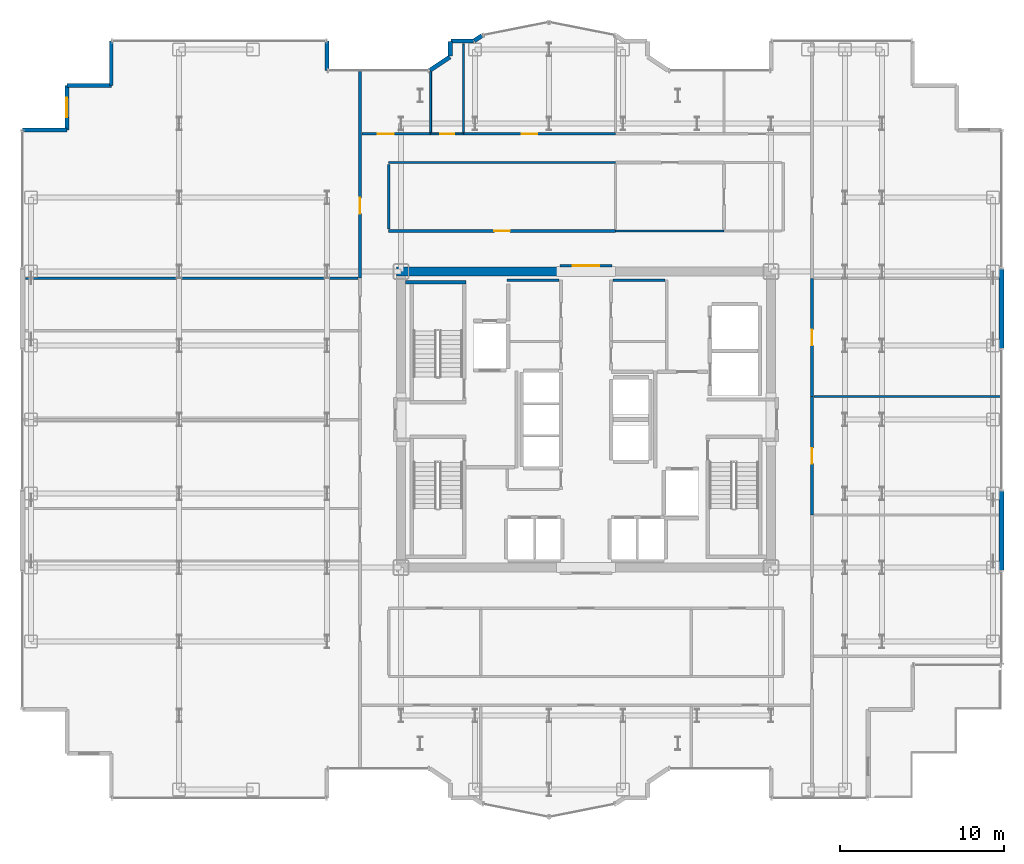
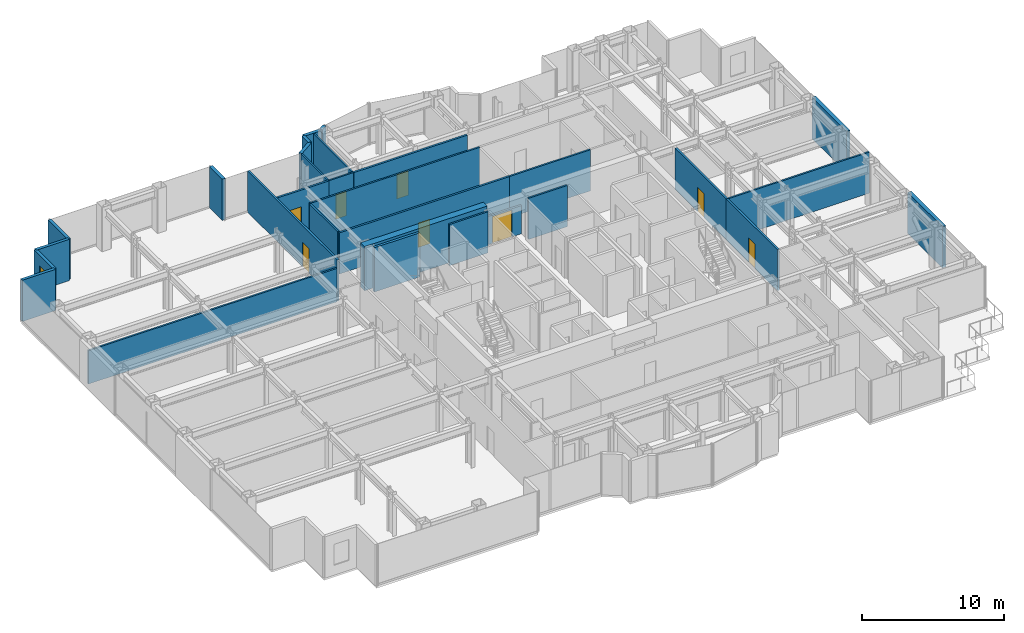
# One storey, part 24 of 27: 30 walls, 8 doors, 1 window, 9 openings.
"""IFC4 building model written with IfcOpenShell, lengths in metres."""

from ifc_helpers import new_model, si_unit, direction, frame, frame_2d, origin, place, context, subcontext, project, spatial, rectangle, extrude, source, transform, mapped, material, layer, layer_set, type_object, element, fill, save


model = new_model("IFC4")

# Units and contexts
model_context = context("Model", 3, precision=1e-05, world=origin(), true_north=direction((0.0, 1.0)))
body_context = subcontext(model_context, "Body", "Model", "MODEL_VIEW")
ifc_project = project(units=[si_unit("LENGTHUNIT", "METRE"), si_unit("AREAUNIT", "SQUARE_METRE"), si_unit("VOLUMEUNIT", "CUBIC_METRE"), si_unit("PLANEANGLEUNIT", "RADIAN"), si_unit("MASSUNIT", "GRAM", prefix="KILO")], contexts=[model_context])

# Site, building, storey
site_placement = place(None, origin())
site = spatial("IfcSite", under=ifc_project, at=site_placement, CompositionType="ELEMENT")
building_placement = place(site_placement, origin())
building = spatial("IfcBuilding", under=site, at=building_placement, Name="Nefas-Gora Pilgrimage Tower", CompositionType="ELEMENT")
storey_placement = place(building_placement, frame((0.0, 0.0, 183.0)))
storey = spatial("IfcBuildingStorey", under=building, at=storey_placement, Name="L45", CompositionType="ELEMENT", Elevation=183.0)

# Walls
ifc_material_1 = material(Name="Concrete C60/75", Category="concrete")
ifc_layer_1 = layer(ifc_material_1, 0.550048828125)
ifc_layer_set_1 = layer_set([ifc_layer_1], Name="Concrete C60/75")
wall_type_1 = type_object("IfcWallType", Name="SW-CORE-550", PredefinedType="SHEAR", material=ifc_layer_set_1)
shared_shape_1 = source(origin(), body_context, "Body", "SweptSolid", [
    extrude(rectangle(XDim=9.974853515625, YDim=0.550048828125, at=frame_2d((4.9873046875, 0.0))), origin(), (0.0, 0.0, 1.0), 3.800048828125),
])
wall_1_placement = place(storey_placement, frame((-11.52490234375, 9.0, 0.0), z_axis=(0.0, 0.0, 1.0), x_axis=(1.0, 0.0, 0.0)))
element("IfcWall", 1, at=wall_1_placement, inside=storey, type_object=wall_type_1, Name="L45 Core Shear Wall N-West", PredefinedType="SHEAR", context=body_context, shape_type="MappedRepresentation", body=[
    mapped(shared_shape_1, transform((0.0, 0.0, 0.0), x_axis=(1.0, 0.0, 0.0), y_axis=(0.0, 1.0, 0.0), z_axis=(0.0, 0.0, 1.0), scale=1.0)),
])
ifc_material_2 = material(Name="Precast concrete C45/55", Category="concrete")
ifc_layer_2 = layer(ifc_material_2, 0.239990234375)
ifc_layer_set_2 = layer_set([ifc_layer_2], Name="Precast concrete C45/55")
wall_type_2 = type_object("IfcWallType", Name="EW-SERR-240", PredefinedType="SHEAR", material=ifc_layer_set_2)
shared_shape_2 = source(origin(), body_context, "Body", "SweptSolid", [
    extrude(rectangle(XDim=4.8798828125, YDim=0.300048828125, at=frame_2d((2.43994140625, 0.0))), origin(), (0.0, 0.0, 1.0), 3.550048828125),
])
for number, where, z_axis, x_axis, name in (
    (2, (25.27001953125, -9.18994140625, 0.0), (0.0, 0.0, 1.0), (0.0, 1.0, 0.0), "L45 Braced-Tube Precast Shear Cladding 3"),
    (3, (25.27001953125, 4.31005859375, 0.0), (0.0, 0.0, 1.0), (0.0, 1.0, 0.0), "L45 Braced-Tube Precast Shear Cladding 4"),
):
    element("IfcWall", number, at=place(storey_placement, frame(where, z_axis=z_axis, x_axis=x_axis)), inside=storey, type_object=wall_type_2, Name=name, PredefinedType="SHEAR", context=body_context, shape_type="MappedRepresentation", body=[
        mapped(shared_shape_2, transform((0.0, 0.0, 0.0), x_axis=(1.0, 0.0, 0.0), y_axis=(0.0, 1.0, 0.0), z_axis=(0.0, 0.0, 1.0), scale=1.0)),
    ])
ifc_material_3 = material(Name="Precast concrete C40/50", Category="concrete")
ifc_layer_3 = layer(ifc_material_3, 0.260009765625)
ifc_layer_set_3 = layer_set([ifc_layer_3], Name="Precast concrete C40/50")
wall_type_3 = type_object("IfcWallType", Name="EW-PORTAL-260", PredefinedType="SOLIDWALL", material=ifc_layer_set_3)
shared_shape_3 = source(origin(), body_context, "Body", "SweptSolid", [
    extrude(rectangle(XDim=1.800048828125, YDim=0.260009765625, at=frame_2d((0.89990234375, 0.0))), origin(), (0.0, 0.0, 1.0), 3.550048828125),
])
wall_2_placement = place(storey_placement, frame((-15.75, 21.219970703125, 0.0), z_axis=(0.0, 0.0, 1.0), x_axis=(0.0, 1.0, 0.0)))
element("IfcWall", 4, at=wall_2_placement, inside=storey, type_object=wall_type_3, Name="L45 Lobe Shoulder Precast Spandrel Pier 22", PredefinedType="SOLIDWALL", context=body_context, shape_type="MappedRepresentation", body=[
    mapped(shared_shape_3, transform((0.0, 0.0, 0.0), x_axis=(1.0, 0.0, 0.0), y_axis=(0.0, 1.0, 0.0), z_axis=(0.0, 0.0, 1.0), scale=1.0)),
])
shared_shape_4 = source(origin(), body_context, "Body", "SweptSolid", [
    extrude(rectangle(XDim=2.699951171875, YDim=0.239990234375, at=frame_2d((1.35009765625, 0.0))), origin(), (0.0, 0.0, 1.0), 3.550048828125),
])
for number, where, z_axis, x_axis, name in (
    (5, (-28.8701171875, 23.02001953125, 0.0), (0.0, 0.0, 1.0), (0.0, -1.0, 0.0), "L45 Serrated Corner Shear Pier Wall 23"),
    (6, (-28.8701171875, 20.320068359375, 0.0), (0.0, 0.0, 1.0), (-1.0, 0.0, 0.0), "L45 Serrated Corner Shear Pier Wall 24"),
):
    element("IfcWall", number, at=place(storey_placement, frame(where, z_axis=z_axis, x_axis=x_axis)), inside=storey, type_object=wall_type_2, Name=name, PredefinedType="SHEAR", context=body_context, shape_type="MappedRepresentation", body=[
        mapped(shared_shape_4, transform((0.0, 0.0, 0.0), x_axis=(1.0, 0.0, 0.0), y_axis=(0.0, 1.0, 0.0), z_axis=(0.0, 0.0, 1.0), scale=1.0)),
    ])

# Wall, opening, window
wall_3_placement = place(storey_placement, frame((-31.570068359375, 20.320068359375, 0.0), z_axis=(0.0, 0.0, 1.0), x_axis=(0.0, -1.0, 0.0)))
wall_3 = element("IfcWall", 7, at=wall_3_placement, inside=storey, type_object=wall_type_2, Name="L45 Serrated Corner Shear Pier Wall 25", PredefinedType="SHEAR", context=body_context, shape_type="MappedRepresentation", body=[
    mapped(shared_shape_4, transform((0.0, 0.0, 0.0), x_axis=(1.0, 0.0, 0.0), y_axis=(0.0, 1.0, 0.0), z_axis=(0.0, 0.0, 1.0), scale=1.0)),
])
opening_1_placement = place(wall_3_placement, frame((0.75, 0.0, 0.85009765625)))
opening_1 = element("IfcOpeningElement", 8, at=opening_1_placement, cuts=wall_3, Name="Opening W-V1", PredefinedType="OPENING", context=body_context, shape_type="SweptSolid", body=[
    extrude(rectangle(XDim=1.199951171875, YDim=1.800048828125, at=frame_2d((0.60009765625, 0.89990234375))), frame((0.0, 0.1298828125, 0.0), z_axis=(0.0, -1.0, 0.0), x_axis=(1.0, 0.0, 0.0)), (0.0, 0.0, 1.0), 0.260009765625),
])
ifc_material_4 = material(Name="Dark ceramic-fritted operable aluminium-glass window", Category="aluminium")
window_type = type_object("IfcWindowType", Name="WIN-VENT-1200x1800", PartitioningType="SINGLE_PANEL", PredefinedType="WINDOW", material=ifc_material_4)
shared_shape_5 = source(origin(), body_context, "Body", "SweptSolid", [
    extrude(rectangle(XDim=1.199951171875, YDim=1.800048828125, at=frame_2d((0.60009765625, 0.89990234375))), frame((0.0, 0.030029296875, 0.0), z_axis=(0.0, -1.0, 0.0), x_axis=(1.0, 0.0, 0.0)), (0.0, 0.0, 1.0), 0.06005859375),
])
window_placement = place(opening_1_placement, origin())
window = element("IfcWindow", 9, at=window_placement, inside=storey, type_object=window_type, Name="L45 Operable Parallel-Outswing Window 25", OverallHeight=1.800048828125, OverallWidth=1.199951171875, PartitioningType="SINGLE_PANEL", PredefinedType="WINDOW", context=body_context, shape_type="MappedRepresentation", body=[
    mapped(shared_shape_5, transform((0.0, 0.0, 0.0), x_axis=(1.0, 0.0, 0.0), y_axis=(0.0, 1.0, 0.0), z_axis=(0.0, 0.0, 1.0), scale=1.0)),
])
fill(opening_1, window)

# Walls
wall_4_placement = place(storey_placement, frame((-31.570068359375, 17.6201171875, 0.0), z_axis=(0.0, 0.0, 1.0), x_axis=(-1.0, 0.0, 0.0)))
element("IfcWall", 10, at=wall_4_placement, inside=storey, type_object=wall_type_2, Name="L45 Serrated Corner Shear Pier Wall 26", PredefinedType="SHEAR", context=body_context, shape_type="MappedRepresentation", body=[
    mapped(shared_shape_4, transform((0.0, 0.0, 0.0), x_axis=(1.0, 0.0, 0.0), y_axis=(0.0, 1.0, 0.0), z_axis=(0.0, 0.0, 1.0), scale=1.0)),
])
shared_shape_6 = source(origin(), body_context, "Body", "SweptSolid", [
    extrude(rectangle(XDim=1.468994140625, YDim=0.260009765625, at=frame_2d((0.734375, 0.0))), origin(), (0.0, 0.0, 1.0), 3.550048828125),
])
wall_5_placement = place(storey_placement, frame((-8.273193359375, 22.0517578125, 0.0), z_axis=(0.0, 0.0, 1.0), x_axis=(-0.831461760506, -0.555581983884, 0.0)))
element("IfcWall", 11, at=wall_5_placement, inside=storey, type_object=wall_type_3, Name="L45 Lobe Shoulder Precast Spandrel Pier 21", PredefinedType="SOLIDWALL", context=body_context, shape_type="MappedRepresentation", body=[
    mapped(shared_shape_6, transform((0.0, 0.0, 0.0), x_axis=(1.0, 0.0, 0.0), y_axis=(0.0, 1.0, 0.0), z_axis=(0.0, 0.0, 1.0), scale=1.0)),
])
shared_shape_7 = source(origin(), body_context, "Body", "SweptSolid", [
    extrude(rectangle(XDim=0.896728515625, YDim=0.260009765625, at=frame_2d((0.4482421875, 0.0))), origin(), (0.0, 0.0, 1.0), 3.550048828125),
])
wall_6_placement = place(storey_placement, frame((-8.25, 22.991943359375, 0.0), z_axis=(0.0, 0.0, 1.0), x_axis=(0.0, -1.0, 0.0)))
element("IfcWall", 12, at=wall_6_placement, inside=storey, type_object=wall_type_3, Name="L45 Lobe Shoulder Precast Spandrel Pier 20", PredefinedType="SOLIDWALL", context=body_context, shape_type="MappedRepresentation", body=[
    mapped(shared_shape_7, transform((0.0, 0.0, 0.0), x_axis=(1.0, 0.0, 0.0), y_axis=(0.0, 1.0, 0.0), z_axis=(0.0, 0.0, 1.0), scale=1.0)),
])
shared_shape_8 = source(origin(), body_context, "Body", "SweptSolid", [
    extrude(rectangle(XDim=1.369873046875, YDim=0.260009765625, at=frame_2d((0.68505859375, 0.0))), origin(), (0.0, 0.0, 1.0), 3.550048828125),
])
wall_7_placement = place(storey_placement, frame((-6.85205078125, 23.02001953125, 0.0), z_axis=(0.0, 0.0, 1.0), x_axis=(-1.0, 0.0, 0.0)))
element("IfcWall", 13, at=wall_7_placement, inside=storey, type_object=wall_type_3, Name="L45 Lobe Shoulder Precast Spandrel Pier 19", PredefinedType="SOLIDWALL", context=body_context, shape_type="MappedRepresentation", body=[
    mapped(shared_shape_8, transform((0.0, 0.0, 0.0), x_axis=(1.0, 0.0, 0.0), y_axis=(0.0, 1.0, 0.0), z_axis=(0.0, 0.0, 1.0), scale=1.0)),
])
shared_shape_9 = source(origin(), body_context, "Body", "SweptSolid", [
    extrude(rectangle(XDim=0.5654296875, YDim=0.260009765625, at=frame_2d((0.28271484375, 0.0))), origin(), (0.0, 0.0, 1.0), 3.550048828125),
])
wall_8_placement = place(storey_placement, frame((-6.33056640625, 23.349609375, 0.0), z_axis=(0.0, 0.0, 1.0), x_axis=(-0.831651492666, -0.555297933317, 0.0)))
element("IfcWall", 14, at=wall_8_placement, inside=storey, type_object=wall_type_3, Name="L45 Lobe Shoulder Precast Spandrel Pier 18", PredefinedType="SOLIDWALL", context=body_context, shape_type="MappedRepresentation", body=[
    mapped(shared_shape_9, transform((0.0, 0.0, 0.0), x_axis=(1.0, 0.0, 0.0), y_axis=(0.0, 1.0, 0.0), z_axis=(0.0, 0.0, 1.0), scale=1.0)),
])
ifc_material_5 = material(Name="Concrete C45/55", Category="concrete")
ifc_layer_4 = layer(ifc_material_5, 0.199951171875)
ifc_layer_set_4 = layer_set([ifc_layer_4], Name="Concrete C45/55")
wall_type_4 = type_object("IfcWallType", Name="IW-STAIR-200", PredefinedType="SOLIDWALL", material=ifc_layer_set_4)
shared_shape_10 = source(origin(), body_context, "Body", "SweptSolid", [
    extrude(rectangle(XDim=3.679931640625, YDim=0.199951171875, at=frame_2d((1.83984375, 0.0))), origin(), (0.0, 0.0, 1.0), 3.800048828125),
])
wall_9_placement = place(storey_placement, frame((-7.300048828125, 8.35009765625, 0.0), z_axis=(0.0, 0.0, 1.0), x_axis=(-1.0, 0.0, 0.0)))
element("IfcWall", 15, at=wall_9_placement, inside=storey, type_object=wall_type_4, Name="L45 Stairwell Shear Wall ST-01-far", PredefinedType="SOLIDWALL", context=body_context, shape_type="MappedRepresentation", body=[
    mapped(shared_shape_10, transform((0.0, 0.0, 0.0), x_axis=(1.0, 0.0, 0.0), y_axis=(0.0, 1.0, 0.0), z_axis=(0.0, 0.0, 1.0), scale=1.0)),
])

# Wall, opening, door
ifc_material_6 = material(Name="Moisture-resistant fire-rated gypsum partition")
ifc_layer_5 = layer(ifc_material_6, 0.1201171875)
ifc_layer_set_5 = layer_set([ifc_layer_5], Name="Moisture-resistant fire-rated gypsum partition")
wall_type_5 = type_object("IfcWallType", Name="IW-WET-120", PredefinedType="PLUMBINGWALL", material=ifc_layer_set_5)
shared_shape_11 = source(origin(), body_context, "Body", "SweptSolid", [
    extrude(rectangle(XDim=2.02001953125, YDim=0.1201171875, at=frame_2d((1.010009765625, 0.0))), origin(), (0.0, 0.0, 1.0), 3.534912109375),
])
wall_10_placement = place(storey_placement, frame((-9.4599609375, 17.3701171875, 0.0), z_axis=(0.0, 0.0, 1.0), x_axis=(1.0, 0.0, 0.0)))
wall_10 = element("IfcWall", 16, at=wall_10_placement, inside=storey, type_object=wall_type_5, Name="L45 Accessible Unisex WC Partition Wall 29", PredefinedType="PLUMBINGWALL", context=body_context, shape_type="MappedRepresentation", body=[
    mapped(shared_shape_11, transform((0.0, 0.0, 0.0), x_axis=(1.0, 0.0, 0.0), y_axis=(0.0, 1.0, 0.0), z_axis=(0.0, 0.0, 1.0), scale=1.0)),
])
opening_2_placement = place(wall_10_placement, frame((0.5849609375, 0.0, 0.0)))
opening_2 = element("IfcOpeningElement", 17, at=opening_2_placement, cuts=wall_10, Name="Opening ID-BT1", PredefinedType="OPENING", context=body_context, shape_type="SweptSolid", body=[
    extrude(rectangle(XDim=0.85009765625, YDim=2.10009765625, at=frame_2d((0.425048828125, 1.050048828125))), frame((0.0, 0.070068359375, 0.0), z_axis=(0.0, -1.0, 0.0), x_axis=(1.0, 0.0, 0.0)), (0.0, 0.0, 1.0), 0.14013671875),
])
ifc_material_7 = material(Name="Moisture-resistant fire-rated timber door", Category="wood")
door_type_1 = type_object("IfcDoorType", Name="DR-INT-BATH-850", OperationType="NOTDEFINED", PredefinedType="DOOR", material=ifc_material_7)
shared_shape_12 = source(origin(), body_context, "Body", "SweptSolid", [
    extrude(rectangle(XDim=0.85009765625, YDim=2.10009765625, at=frame_2d((0.425048828125, 1.050048828125))), frame((0.0, 0.02490234375, 0.0), z_axis=(0.0, -1.0, 0.0), x_axis=(1.0, 0.0, 0.0)), (0.0, 0.0, 1.0), 0.050048828125),
])
door_1_placement = place(opening_2_placement, origin())
door_1 = element("IfcDoor", 18, at=door_1_placement, inside=storey, type_object=door_type_1, Name="L45 Accessible Unisex WC Door 12", OperationType="SINGLE_SWING_LEFT", OverallHeight=2.10009765625, OverallWidth=0.85009765625, PredefinedType="DOOR", context=body_context, shape_type="MappedRepresentation", body=[
    mapped(shared_shape_12, transform((0.0, 0.0, 0.0), x_axis=(1.0, 0.0, 0.0), y_axis=(0.0, 1.0, 0.0), z_axis=(0.0, 0.0, 1.0), scale=1.0)),
])
fill(opening_2, door_1)

# Walls
ifc_material_8 = material(Name="Gypsum twin-stud partition")
ifc_layer_6 = layer(ifc_material_8, 0.139892578125)
ifc_layer_set_6 = layer_set([ifc_layer_6], Name="Gypsum twin-stud partition")
wall_type_6 = type_object("IfcWallType", Name="IW-UNIT-140", PredefinedType="PARTITIONING", material=ifc_layer_set_6)
shared_shape_13 = source(origin(), body_context, "Body", "SweptSolid", [
    extrude(rectangle(XDim=3.150146484375, YDim=0.139892578125, at=frame_2d((1.5751953125, 0.0))), origin(), (0.0, 0.0, 1.0), 3.534912109375),
])
for number, where, z_axis, x_axis, name in (
    (19, (-4.7900390625, 8.47998046875, 0.0), (0.0, 0.0, 1.0), (1.0, 0.0, 0.0), "L45 Archival Supply Store Partition Wall 21"),
    (20, (1.639892578125, 8.47998046875, 0.0), (0.0, 0.0, 1.0), (1.0, 0.0, 0.0), "L45 Amenity Supply Store Partition Wall 25"),
):
    element("IfcWall", number, at=place(storey_placement, frame(where, z_axis=z_axis, x_axis=x_axis)), inside=storey, type_object=wall_type_6, Name=name, PredefinedType="PARTITIONING", context=body_context, shape_type="MappedRepresentation", body=[
        mapped(shared_shape_13, transform((0.0, 0.0, 0.0), x_axis=(1.0, 0.0, 0.0), y_axis=(0.0, 1.0, 0.0), z_axis=(0.0, 0.0, 1.0), scale=1.0)),
    ])

# Wall, opening, door
ifc_material_9 = material(Name="Gypsum acoustic stud partition")
ifc_layer_7 = layer(ifc_material_9, 0.159912109375)
ifc_layer_set_7 = layer_set([ifc_layer_7], Name="Gypsum acoustic stud partition")
wall_type_7 = type_object("IfcWallType", Name="IW-CORR-160", PredefinedType="PARTITIONING", material=ifc_layer_set_7)
shared_shape_14 = source(origin(), body_context, "Body", "SweptSolid", [
    extrude(rectangle(XDim=12.64501953125, YDim=0.159912109375, at=frame_2d((6.322509765625, 0.0))), origin(), (0.0, 0.0, 1.0), 3.534912109375),
])
wall_11_placement = place(storey_placement, frame((-13.739990234375, 8.594970703125, 0.0), z_axis=(0.0, 0.0, 1.0), x_axis=(0.0, 1.0, 0.0)))
wall_11 = element("IfcWall", 21, at=wall_11_placement, inside=storey, type_object=wall_type_7, Name="L45 Pilgrim Contemplative Lounge Partition Wall 42", PredefinedType="PARTITIONING", context=body_context, shape_type="MappedRepresentation", body=[
    mapped(shared_shape_14, transform((0.0, 0.0, 0.0), x_axis=(1.0, 0.0, 0.0), y_axis=(0.0, 1.0, 0.0), z_axis=(0.0, 0.0, 1.0), scale=1.0)),
])
opening_3_placement = place(wall_11_placement, frame((3.9326171875, 0.0, 0.0)))
opening_3 = element("IfcOpeningElement", 22, at=opening_3_placement, cuts=wall_11, Name="Opening ID-GR1", PredefinedType="OPENING", context=body_context, shape_type="SweptSolid", body=[
    extrude(rectangle(XDim=0.949951171875, YDim=2.10009765625, at=frame_2d((0.47509765625, 1.050048828125))), frame((0.0, 0.08984375, 0.0), z_axis=(0.0, -1.0, 0.0), x_axis=(1.0, 0.0, 0.0)), (0.0, 0.0, 1.0), 0.179931640625),
])
ifc_material_10 = material(Name="Solid core oak fire-rated guest entrance door")
door_type_2 = type_object("IfcDoorType", Name="DR-INT-GUEST-950", OperationType="NOTDEFINED", PredefinedType="DOOR", material=ifc_material_10)
shared_shape_15 = source(origin(), body_context, "Body", "SweptSolid", [
    extrude(rectangle(XDim=0.949951171875, YDim=2.10009765625, at=frame_2d((0.47509765625, 1.050048828125))), frame((0.0, 0.02490234375, 0.0), z_axis=(0.0, -1.0, 0.0), x_axis=(1.0, 0.0, 0.0)), (0.0, 0.0, 1.0), 0.050048828125),
])
door_2_placement = place(opening_3_placement, origin())
door_2 = element("IfcDoor", 23, at=door_2_placement, inside=storey, type_object=door_type_2, Name="L45 Pilgrim Contemplative Lounge Door 18", OperationType="SINGLE_SWING_LEFT", OverallHeight=2.10009765625, OverallWidth=0.949951171875, PredefinedType="DOOR", context=body_context, shape_type="MappedRepresentation", body=[
    mapped(shared_shape_15, transform((0.0, 0.0, 0.0), x_axis=(1.0, 0.0, 0.0), y_axis=(0.0, 1.0, 0.0), z_axis=(0.0, 0.0, 1.0), scale=1.0)),
])
fill(opening_3, door_2)

shared_shape_16 = source(origin(), body_context, "Body", "SweptSolid", [
    extrude(rectangle(XDim=3.16015625, YDim=0.159912109375, at=frame_2d((1.580078125, 0.0))), origin(), (0.0, 0.0, 1.0), 2.425048828125),
])
wall_12_placement = place(storey_placement, frame((-1.580078125, 9.35009765625, 0.0), z_axis=(0.0, 0.0, 1.0), x_axis=(1.0, 0.0, 0.0)))
wall_12 = element("IfcWall", 24, at=wall_12_placement, inside=storey, type_object=wall_type_7, Name="L45 Central Lift Lobby North Portal Wall 15", PredefinedType="PARTITIONING", context=body_context, shape_type="MappedRepresentation", body=[
    mapped(shared_shape_16, transform((0.0, 0.0, 0.0), x_axis=(1.0, 0.0, 0.0), y_axis=(0.0, 1.0, 0.0), z_axis=(0.0, 0.0, 1.0), scale=1.0)),
])
opening_4_placement = place(wall_12_placement, frame((0.780029296875, 0.0, 0.0)))
opening_4 = element("IfcOpeningElement", 25, at=opening_4_placement, cuts=wall_12, Name="Opening ID-HL1", PredefinedType="OPENING", context=body_context, shape_type="SweptSolid", body=[
    extrude(rectangle(XDim=1.60009765625, YDim=2.300048828125, at=frame_2d((0.800048828125, 1.14990234375))), frame((0.0, 0.08984375, 0.0), z_axis=(0.0, -1.0, 0.0), x_axis=(1.0, 0.0, 0.0)), (0.0, 0.0, 1.0), 0.179931640625),
])
ifc_material_11 = material(Name="Double acoustic timber assembly hall door", Category="wood")
door_type_3 = type_object("IfcDoorType", Name="DR-INT-HALL-1600", OperationType="DOUBLE_DOOR_SINGLE_SWING", PredefinedType="DOOR", material=ifc_material_11)
shared_shape_17 = source(origin(), body_context, "Body", "SweptSolid", [
    extrude(rectangle(XDim=1.60009765625, YDim=2.300048828125, at=frame_2d((0.800048828125, 1.14990234375))), frame((0.0, 0.02490234375, 0.0), z_axis=(0.0, -1.0, 0.0), x_axis=(1.0, 0.0, 0.0)), (0.0, 0.0, 1.0), 0.050048828125),
])
door_3_placement = place(opening_4_placement, origin())
door_3 = element("IfcDoor", 26, at=door_3_placement, inside=storey, type_object=door_type_3, Name="L45 Central Lift Lobby North Portal Door 5", OperationType="DOUBLE_DOOR_SINGLE_SWING", OverallHeight=2.300048828125, OverallWidth=1.60009765625, PredefinedType="DOOR", context=body_context, shape_type="MappedRepresentation", body=[
    mapped(shared_shape_17, transform((0.0, 0.0, 0.0), x_axis=(1.0, 0.0, 0.0), y_axis=(0.0, 1.0, 0.0), z_axis=(0.0, 0.0, 1.0), scale=1.0)),
])
fill(opening_4, door_3)

# Walls
shared_shape_18 = source(origin(), body_context, "Body", "SweptSolid", [
    extrude(rectangle(XDim=20.219970703125, YDim=0.139892578125, at=frame_2d((10.10986328125, 0.0))), origin(), (0.0, 0.0, 1.0), 2.875),
])
wall_13_placement = place(storey_placement, frame((-34.080078125, 8.594970703125, 0.0), z_axis=(0.0, 0.0, 1.0), x_axis=(1.0, 0.0, 0.0)))
element("IfcWall", 27, at=wall_13_placement, inside=storey, type_object=wall_type_6, Name="L45 Pilgrim Fellowship Seminar Room Partition Wall 41", PredefinedType="PARTITIONING", context=body_context, shape_type="MappedRepresentation", body=[
    mapped(shared_shape_18, transform((0.0, 0.0, 0.0), x_axis=(1.0, 0.0, 0.0), y_axis=(0.0, 1.0, 0.0), z_axis=(0.0, 0.0, 1.0), scale=1.0)),
])
shared_shape_19 = source(origin(), body_context, "Body", "SweptSolid", [
    extrude(rectangle(XDim=5.380126953125, YDim=0.1201171875, at=frame_2d((2.68994140625, 0.0))), origin(), (0.0, 0.0, 1.0), 3.534912109375),
])
wall_14_placement = place(storey_placement, frame((-7.449951171875, 17.469970703125, 0.0), z_axis=(0.0, 0.0, 1.0), x_axis=(0.0, 1.0, 0.0)))
element("IfcWall", 28, at=wall_14_placement, inside=storey, type_object=wall_type_5, Name="L45 Accessible Unisex WC Partition Wall 30", PredefinedType="PLUMBINGWALL", context=body_context, shape_type="MappedRepresentation", body=[
    mapped(shared_shape_19, transform((0.0, 0.0, 0.0), x_axis=(1.0, 0.0, 0.0), y_axis=(0.0, 1.0, 0.0), z_axis=(0.0, 0.0, 1.0), scale=1.0)),
])
shared_shape_20 = source(origin(), body_context, "Body", "SweptSolid", [
    extrude(rectangle(XDim=3.686767578125, YDim=0.1201171875, at=frame_2d((1.84326171875, 0.0))), origin(), (0.0, 0.0, 1.0), 3.534912109375),
])
wall_15_placement = place(storey_placement, frame((-9.449951171875, 17.469970703125, 0.0), z_axis=(0.0, 0.0, 1.0), x_axis=(0.0, 1.0, 0.0)))
element("IfcWall", 29, at=wall_15_placement, inside=storey, type_object=wall_type_5, Name="L45 Accessible Unisex WC Partition Wall 31", PredefinedType="PLUMBINGWALL", context=body_context, shape_type="MappedRepresentation", body=[
    mapped(shared_shape_20, transform((0.0, 0.0, 0.0), x_axis=(1.0, 0.0, 0.0), y_axis=(0.0, 1.0, 0.0), z_axis=(0.0, 0.0, 1.0), scale=1.0)),
])
shared_shape_21 = source(origin(), body_context, "Body", "SweptSolid", [
    extrude(rectangle(XDim=11.429931640625, YDim=0.139892578125, at=frame_2d((5.71484375, 0.0))), origin(), (0.0, 0.0, 1.0), 3.534912109375),
])
wall_16_placement = place(storey_placement, frame((13.860107421875, 1.4013671875, 0.0), z_axis=(0.0, 0.0, 1.0), x_axis=(1.0, 0.0, 0.0)))
element("IfcWall", 30, at=wall_16_placement, inside=storey, type_object=wall_type_6, Name="L45 Pilgrim Contemplative Lounge Partition Wall 50", PredefinedType="PARTITIONING", context=body_context, shape_type="MappedRepresentation", body=[
    mapped(shared_shape_21, transform((0.0, 0.0, 0.0), x_axis=(1.0, 0.0, 0.0), y_axis=(0.0, 1.0, 0.0), z_axis=(0.0, 0.0, 1.0), scale=1.0)),
])
shared_shape_22 = source(origin(), body_context, "Body", "SweptSolid", [
    extrude(rectangle(XDim=3.929931640625, YDim=0.139892578125, at=frame_2d((1.96484375, 0.0))), origin(), (0.0, 0.0, 1.0), 3.534912109375),
])
wall_17_placement = place(storey_placement, frame((-12.0, 11.590087890625, 0.0), z_axis=(0.0, 0.0, 1.0), x_axis=(0.0, 1.0, 0.0)))
element("IfcWall", 31, at=wall_17_placement, inside=storey, type_object=wall_type_6, Name="L45 Pilgrim Contemplative Lounge Partition Wall 54", PredefinedType="PARTITIONING", context=body_context, shape_type="MappedRepresentation", body=[
    mapped(shared_shape_22, transform((0.0, 0.0, 0.0), x_axis=(1.0, 0.0, 0.0), y_axis=(0.0, 1.0, 0.0), z_axis=(0.0, 0.0, 1.0), scale=1.0)),
])

# Wall, opening, door
shared_shape_23 = source(origin(), body_context, "Body", "SweptSolid", [
    extrude(rectangle(XDim=4.16015625, YDim=0.159912109375, at=frame_2d((2.080078125, 0.0))), origin(), (0.0, 0.0, 1.0), 3.534912109375),
])
wall_18_placement = place(storey_placement, frame((-13.6201171875, 17.3701171875, 0.0), z_axis=(0.0, 0.0, 1.0), x_axis=(1.0, 0.0, 0.0)))
wall_18 = element("IfcWall", 32, at=wall_18_placement, inside=storey, type_object=wall_type_7, Name="L45 Pilgrim Contemplative Lounge Partition Wall 58", PredefinedType="PARTITIONING", context=body_context, shape_type="MappedRepresentation", body=[
    mapped(shared_shape_23, transform((0.0, 0.0, 0.0), x_axis=(1.0, 0.0, 0.0), y_axis=(0.0, 1.0, 0.0), z_axis=(0.0, 0.0, 1.0), scale=1.0)),
])
opening_5_placement = place(wall_18_placement, frame((0.968994140625, 0.0, 0.0)))
opening_5 = element("IfcOpeningElement", 33, at=opening_5_placement, cuts=wall_18, Name="Opening ID-GR1", PredefinedType="OPENING", context=body_context, shape_type="SweptSolid", body=[
    extrude(rectangle(XDim=0.949951171875, YDim=2.10009765625, at=frame_2d((0.47509765625, 1.050048828125))), frame((0.0, 0.08984375, 0.0), z_axis=(0.0, -1.0, 0.0), x_axis=(1.0, 0.0, 0.0)), (0.0, 0.0, 1.0), 0.179931640625),
])
door_4_placement = place(opening_5_placement, origin())
door_4 = element("IfcDoor", 34, at=door_4_placement, inside=storey, type_object=door_type_2, Name="L45 Pilgrim Contemplative Lounge Door 26", OperationType="SINGLE_SWING_LEFT", OverallHeight=2.10009765625, OverallWidth=0.949951171875, PredefinedType="DOOR", context=body_context, shape_type="MappedRepresentation", body=[
    mapped(shared_shape_15, transform((0.0, 0.0, 0.0), x_axis=(1.0, 0.0, 0.0), y_axis=(0.0, 1.0, 0.0), z_axis=(0.0, 0.0, 1.0), scale=1.0)),
])
fill(opening_5, door_4)

shared_shape_24 = source(origin(), body_context, "Body", "SweptSolid", [
    extrude(rectangle(XDim=13.81494140625, YDim=0.159912109375, at=frame_2d((6.907470703125, 0.0))), origin(), (0.0, 0.0, 1.0), 3.534912109375),
])
wall_19_placement = place(storey_placement, frame((-12.010009765625, 11.469970703125, 0.0), z_axis=(0.0, 0.0, 1.0), x_axis=(1.0, 0.0, 0.0)))
wall_19 = element("IfcWall", 35, at=wall_19_placement, inside=storey, type_object=wall_type_7, Name="L45 Pilgrim Contemplative Lounge Partition Wall 52", PredefinedType="PARTITIONING", context=body_context, shape_type="MappedRepresentation", body=[
    mapped(shared_shape_24, transform((0.0, 0.0, 0.0), x_axis=(1.0, 0.0, 0.0), y_axis=(0.0, 1.0, 0.0), z_axis=(0.0, 0.0, 1.0), scale=1.0)),
])
opening_6_placement = place(wall_19_placement, frame((6.4326171875, 0.0, 0.0)))
opening_6 = element("IfcOpeningElement", 36, at=opening_6_placement, cuts=wall_19, Name="Opening ID-GR1", PredefinedType="OPENING", context=body_context, shape_type="SweptSolid", body=[
    extrude(rectangle(XDim=0.949951171875, YDim=2.10009765625, at=frame_2d((0.47509765625, 1.050048828125))), frame((0.0, 0.08984375, 0.0), z_axis=(0.0, -1.0, 0.0), x_axis=(1.0, 0.0, 0.0)), (0.0, 0.0, 1.0), 0.179931640625),
])
door_5_placement = place(opening_6_placement, origin())
door_5 = element("IfcDoor", 37, at=door_5_placement, inside=storey, type_object=door_type_2, Name="L45 Pilgrim Contemplative Lounge Door 24", OperationType="SINGLE_SWING_LEFT", OverallHeight=2.10009765625, OverallWidth=0.949951171875, PredefinedType="DOOR", context=body_context, shape_type="MappedRepresentation", body=[
    mapped(shared_shape_15, transform((0.0, 0.0, 0.0), x_axis=(1.0, 0.0, 0.0), y_axis=(0.0, 1.0, 0.0), z_axis=(0.0, 0.0, 1.0), scale=1.0)),
])
fill(opening_6, door_5)

# Wall
shared_shape_25 = source(origin(), body_context, "Body", "SweptSolid", [
    extrude(rectangle(XDim=13.81494140625, YDim=0.139892578125, at=frame_2d((6.907470703125, 0.0))), origin(), (0.0, 0.0, 1.0), 3.534912109375),
])
wall_20_placement = place(storey_placement, frame((-12.010009765625, 15.6298828125, 0.0), z_axis=(0.0, 0.0, 1.0), x_axis=(1.0, 0.0, 0.0)))
element("IfcWall", 38, at=wall_20_placement, inside=storey, type_object=wall_type_6, Name="L45 Pilgrim Contemplative Lounge Partition Wall 53", PredefinedType="PARTITIONING", context=body_context, shape_type="MappedRepresentation", body=[
    mapped(shared_shape_25, transform((0.0, 0.0, 0.0), x_axis=(1.0, 0.0, 0.0), y_axis=(0.0, 1.0, 0.0), z_axis=(0.0, 0.0, 1.0), scale=1.0)),
])

# Wall, opening, door
shared_shape_26 = source(origin(), body_context, "Body", "SweptSolid", [
    extrude(rectangle(XDim=9.244873046875, YDim=0.159912109375, at=frame_2d((4.62255859375, 0.0))), origin(), (0.0, 0.0, 1.0), 3.534912109375),
])
wall_21_placement = place(storey_placement, frame((-7.43994140625, 17.3701171875, 0.0), z_axis=(0.0, 0.0, 1.0), x_axis=(1.0, 0.0, 0.0)))
wall_21 = element("IfcWall", 39, at=wall_21_placement, inside=storey, type_object=wall_type_7, Name="L45 Pilgrim Contemplative Lounge Partition Wall 56", PredefinedType="PARTITIONING", context=body_context, shape_type="MappedRepresentation", body=[
    mapped(shared_shape_26, transform((0.0, 0.0, 0.0), x_axis=(1.0, 0.0, 0.0), y_axis=(0.0, 1.0, 0.0), z_axis=(0.0, 0.0, 1.0), scale=1.0)),
])
opening_7_placement = place(wall_21_placement, frame((3.52880859375, 0.0, 0.0)))
opening_7 = element("IfcOpeningElement", 40, at=opening_7_placement, cuts=wall_21, Name="Opening ID-GR1", PredefinedType="OPENING", context=body_context, shape_type="SweptSolid", body=[
    extrude(rectangle(XDim=0.949951171875, YDim=2.10009765625, at=frame_2d((0.47509765625, 1.050048828125))), frame((0.0, 0.08984375, 0.0), z_axis=(0.0, -1.0, 0.0), x_axis=(1.0, 0.0, 0.0)), (0.0, 0.0, 1.0), 0.179931640625),
])
door_6_placement = place(opening_7_placement, origin())
door_6 = element("IfcDoor", 41, at=door_6_placement, inside=storey, type_object=door_type_2, Name="L45 Pilgrim Contemplative Lounge Door 25", OperationType="SINGLE_SWING_RIGHT", OverallHeight=2.10009765625, OverallWidth=0.949951171875, PredefinedType="DOOR", context=body_context, shape_type="MappedRepresentation", body=[
    mapped(shared_shape_15, transform((0.0, 0.0, 0.0), x_axis=(1.0, 0.0, 0.0), y_axis=(0.0, 1.0, 0.0), z_axis=(0.0, 0.0, 1.0), scale=1.0)),
])
fill(opening_7, door_6)

shared_shape_27 = source(origin(), body_context, "Body", "SweptSolid", [
    extrude(rectangle(XDim=7.196044921875, YDim=0.159912109375, at=frame_2d((3.59814453125, 0.0))), origin(), (0.0, 0.0, 1.0), 3.534912109375),
])
wall_22_placement = place(storey_placement, frame((13.739990234375, 1.391357421875, 0.0), z_axis=(0.0, 0.0, 1.0), x_axis=(0.0, 1.0, 0.0)))
wall_22 = element("IfcWall", 42, at=wall_22_placement, inside=storey, type_object=wall_type_7, Name="L45 Pilgrim Contemplative Lounge Partition Wall 49", PredefinedType="PARTITIONING", context=body_context, shape_type="MappedRepresentation", body=[
    mapped(shared_shape_27, transform((0.0, 0.0, 0.0), x_axis=(1.0, 0.0, 0.0), y_axis=(0.0, 1.0, 0.0), z_axis=(0.0, 0.0, 1.0), scale=1.0)),
])
opening_8_placement = place(wall_22_placement, frame((3.123046875, 0.0, 0.0)))
opening_8 = element("IfcOpeningElement", 43, at=opening_8_placement, cuts=wall_22, Name="Opening ID-GR1", PredefinedType="OPENING", context=body_context, shape_type="SweptSolid", body=[
    extrude(rectangle(XDim=0.949951171875, YDim=2.10009765625, at=frame_2d((0.47509765625, 1.050048828125))), frame((0.0, 0.08984375, 0.0), z_axis=(0.0, -1.0, 0.0), x_axis=(1.0, 0.0, 0.0)), (0.0, 0.0, 1.0), 0.179931640625),
])
door_7_placement = place(opening_8_placement, origin())
door_7 = element("IfcDoor", 44, at=door_7_placement, inside=storey, type_object=door_type_2, Name="L45 Pilgrim Contemplative Lounge Door 22", OperationType="SINGLE_SWING_LEFT", OverallHeight=2.10009765625, OverallWidth=0.949951171875, PredefinedType="DOOR", context=body_context, shape_type="MappedRepresentation", body=[
    mapped(shared_shape_15, transform((0.0, 0.0, 0.0), x_axis=(1.0, 0.0, 0.0), y_axis=(0.0, 1.0, 0.0), z_axis=(0.0, 0.0, 1.0), scale=1.0)),
])
fill(opening_8, door_7)

shared_shape_28 = source(origin(), body_context, "Body", "SweptSolid", [
    extrude(rectangle(XDim=7.1962890625, YDim=0.159912109375, at=frame_2d((3.59814453125, 0.0))), origin(), (0.0, 0.0, 1.0), 3.534912109375),
])
wall_23_placement = place(storey_placement, frame((13.739990234375, -5.804931640625, 0.0), z_axis=(0.0, 0.0, 1.0), x_axis=(0.0, 1.0, 0.0)))
wall_23 = element("IfcWall", 45, at=wall_23_placement, inside=storey, type_object=wall_type_7, Name="L45 Pilgrim Contemplative Lounge Partition Wall 51", PredefinedType="PARTITIONING", context=body_context, shape_type="MappedRepresentation", body=[
    mapped(shared_shape_28, transform((0.0, 0.0, 0.0), x_axis=(1.0, 0.0, 0.0), y_axis=(0.0, 1.0, 0.0), z_axis=(0.0, 0.0, 1.0), scale=1.0)),
])
opening_9_placement = place(wall_23_placement, frame((3.123046875, 0.0, 0.0)))
opening_9 = element("IfcOpeningElement", 46, at=opening_9_placement, cuts=wall_23, Name="Opening ID-GR1", PredefinedType="OPENING", context=body_context, shape_type="SweptSolid", body=[
    extrude(rectangle(XDim=0.949951171875, YDim=2.10009765625, at=frame_2d((0.47509765625, 1.050048828125))), frame((0.0, 0.08984375, 0.0), z_axis=(0.0, -1.0, 0.0), x_axis=(1.0, 0.0, 0.0)), (0.0, 0.0, 1.0), 0.179931640625),
])
door_8_placement = place(opening_9_placement, origin())
door_8 = element("IfcDoor", 47, at=door_8_placement, inside=storey, type_object=door_type_2, Name="L45 Pilgrim Contemplative Lounge Door 23", OperationType="SINGLE_SWING_RIGHT", OverallHeight=2.10009765625, OverallWidth=0.949951171875, PredefinedType="DOOR", context=body_context, shape_type="MappedRepresentation", body=[
    mapped(shared_shape_15, transform((0.0, 0.0, 0.0), x_axis=(1.0, 0.0, 0.0), y_axis=(0.0, 1.0, 0.0), z_axis=(0.0, 0.0, 1.0), scale=1.0)),
])
fill(opening_9, door_8)

# Wall
shared_shape_29 = source(origin(), body_context, "Body", "SweptSolid", [
    extrude(rectangle(XDim=6.610107421875, YDim=0.139892578125, at=frame_2d((3.30517578125, 0.0))), origin(), (0.0, 0.0, 1.0), 3.534912109375),
])
wall_24_placement = place(storey_placement, frame((1.794921875, 11.469970703125, 0.0), z_axis=(0.0, 0.0, 1.0), x_axis=(1.0, 0.0, 0.0)))
element("IfcWall", 48, at=wall_24_placement, inside=storey, type_object=wall_type_6, Name="L45 Pastoral Chaplains Counselling Office Partition Wall 62", PredefinedType="PARTITIONING", context=body_context, shape_type="MappedRepresentation", body=[
    mapped(shared_shape_29, transform((0.0, 0.0, 0.0), x_axis=(1.0, 0.0, 0.0), y_axis=(0.0, 1.0, 0.0), z_axis=(0.0, 0.0, 1.0), scale=1.0)),
])

save(model, "model.ifc")
